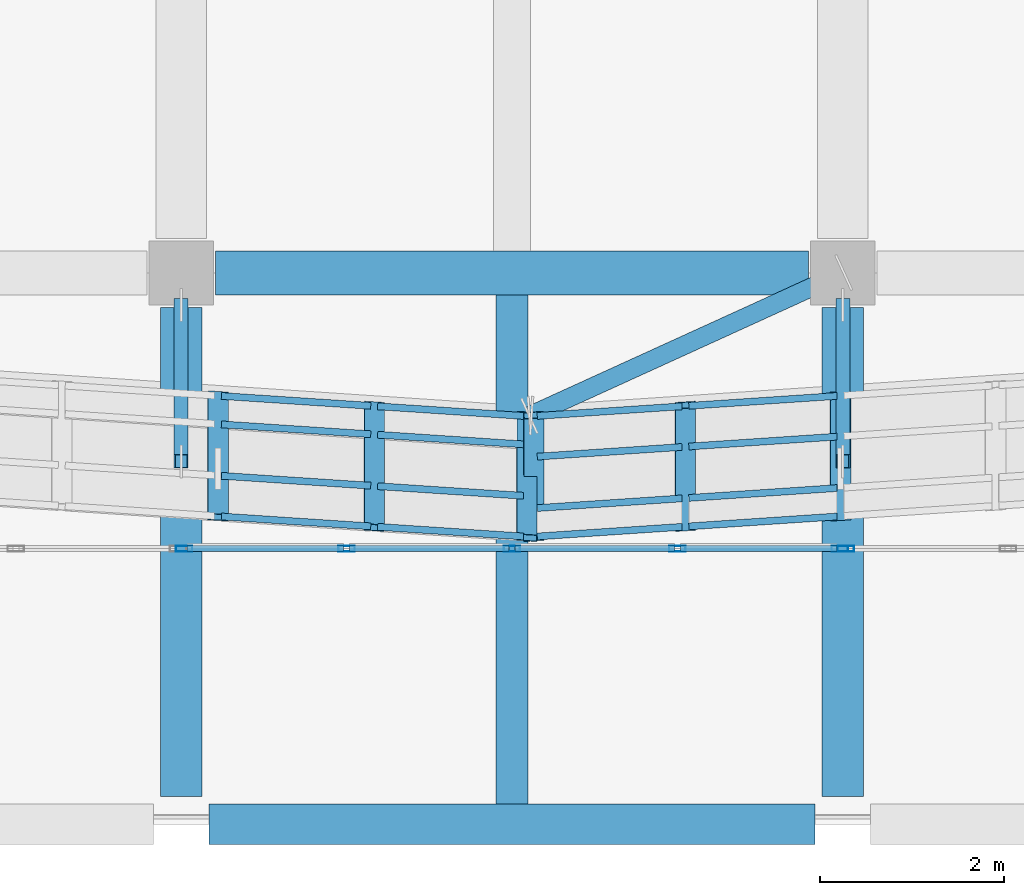
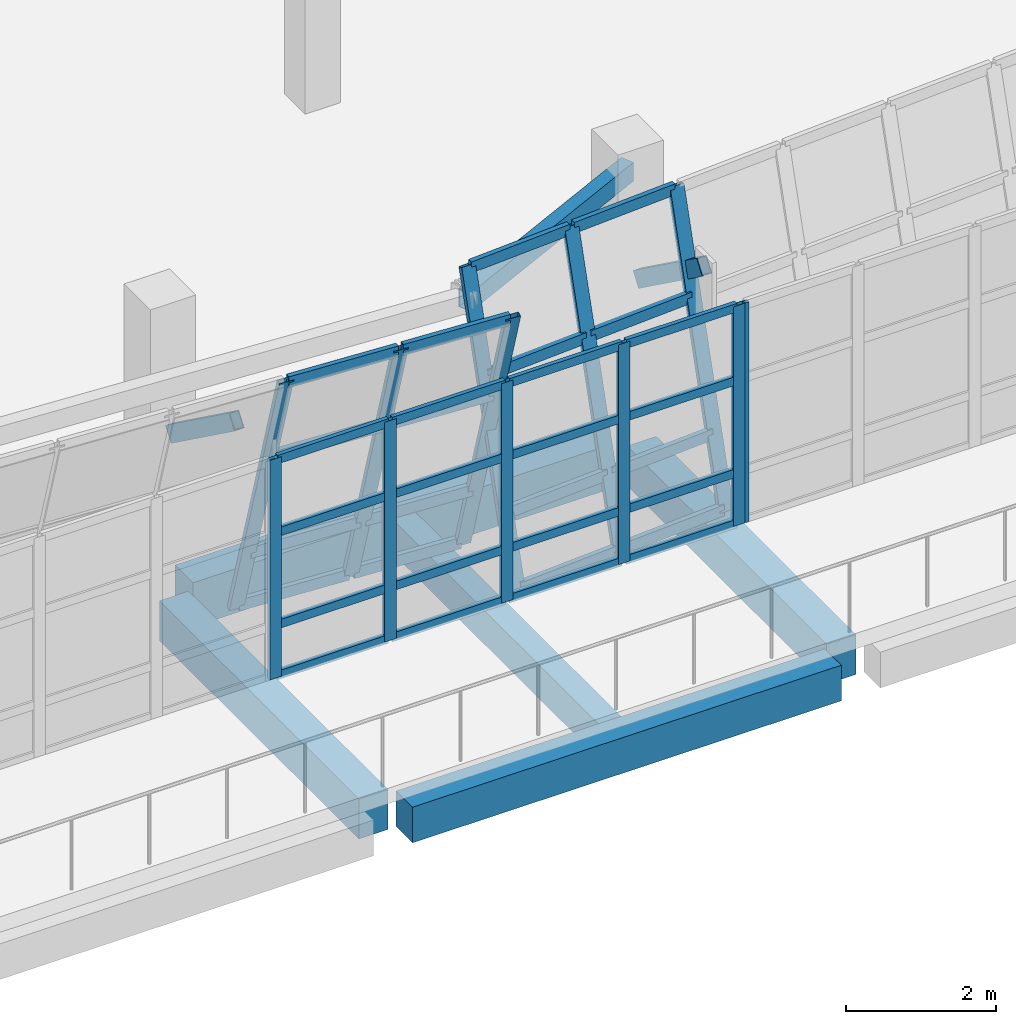
# One storey, part 10 of 67: 46 members, 6 beams, 4 elements without a shape of their own.
"""IFC4 building model written with IfcOpenShell, lengths in metres."""

from ifc_helpers import new_model, si_unit, direction, frame, origin, origin_2d, place, context, subcontext, project, spatial, rectangle, hollow_rectangle, extrude, material, material_profile, profile_set, type_object, element, aggregate, save


model = new_model("IFC4")

# Units and contexts
model_context = context("Model", 3, precision=1e-05, world=origin(), true_north=direction((0.0, 1.0)))
body_context = subcontext(model_context, "Body", "Model", "MODEL_VIEW")
ifc_project = project(units=[si_unit("LENGTHUNIT", "METRE"), si_unit("AREAUNIT", "SQUARE_METRE"), si_unit("VOLUMEUNIT", "CUBIC_METRE"), si_unit("PLANEANGLEUNIT", "RADIAN"), si_unit("MASSUNIT", "GRAM", prefix="KILO")], contexts=[model_context])

# Site, building, storey
site_placement = place(None, origin())
site = spatial("IfcSite", under=ifc_project, at=site_placement, CompositionType="ELEMENT")
building_placement = place(site_placement, origin())
building = spatial("IfcBuilding", under=site, at=building_placement, Name="Pellamere Symphony Hall", CompositionType="ELEMENT")
storey_placement = place(building_placement, frame((0.0, 0.0, 19.5)))
storey = spatial("IfcBuildingStorey", under=building, at=storey_placement, Name="L04", CompositionType="ELEMENT", Elevation=19.5)

# Curtain wall, members
ifc_material_1 = material(Name="Thermally Broken Anodised Aluminium 6063-T6 Curtain Wall", Category="aluminium")
curtain_wall_type_1 = type_object("IfcCurtainWallType", Name="Curtain Wall CW-01 (Tilted Faceted Crystal Low-Iron Curtain Wall)", PredefinedType="NOTDEFINED", material=ifc_material_1)
curtain_wall_1_placement = place(storey_placement, origin())
curtain_wall_1 = element("IfcCurtainWall", 1, at=curtain_wall_1_placement, inside=storey, type_object=curtain_wall_type_1, Name="Crystal Faceted Curtain Wall CW-CR03 (L04)", PredefinedType="NOTDEFINED")
ifc_material_2 = material(Name="Anodised Architectural Aluminium 6063-T6", Category="aluminium")
ifc_material_profile_1 = material_profile(ifc_material_2, hollow_rectangle(XDim=0.074951171875, YDim=0.219970703125, WallThickness=0.0048828125, at=origin_2d()), Name="ALU-M75X220X5")
ifc_profile_set_1 = profile_set([ifc_material_profile_1], Name="Anodised Architectural Aluminium 6063-T6")
member_type_1 = type_object("IfcMemberType", Name="Curtain Wall Mullion ML-01 ALU-M75X220X5", PredefinedType="MULLION", material=ifc_profile_set_1)
member_1_placement = place(storey_placement, frame((88.0, 28.675048828125, 0.0), z_axis=(0.0, -0.284024567884, 0.95881700279), x_axis=(0.066032040643, 0.956724387709, 0.283404685161)))
member_1 = element("IfcMember", 2, at=member_1_placement, type_object=member_type_1, Name="CW1-003 crystal mullion 7", PredefinedType="MULLION", context=body_context, shape_type="SweptSolid", body=[
    extrude(hollow_rectangle(XDim=0.074951171875, YDim=0.219970703125, WallThickness=0.0048828125, at=origin_2d()), origin(), (0.0, 0.0, 1.0), 4.693359375),
])
member_2_placement = place(storey_placement, frame((89.699951171875, 28.5625, 0.0), z_axis=(0.0, -0.284024567884, 0.95881700279), x_axis=(0.066032040643, 0.956724387709, 0.283404685161)))
member_2 = element("IfcMember", 3, at=member_2_placement, type_object=member_type_1, Name="CW1-003 crystal mullion 8", PredefinedType="MULLION", context=body_context, shape_type="SweptSolid", body=[
    extrude(hollow_rectangle(XDim=0.074951171875, YDim=0.219970703125, WallThickness=0.0048828125, at=origin_2d()), origin(), (0.0, 0.0, 1.0), 4.693359375),
])
member_3_placement = place(storey_placement, frame((91.362548828125, 28.452392578125, 0.0), z_axis=(0.0, -0.284024567884, 0.95881700279), x_axis=(0.066032040643, 0.956724387709, 0.283404685161)))
member_3 = element("IfcMember", 4, at=member_3_placement, type_object=member_type_1, Name="CW1-003 crystal mullion 9", PredefinedType="MULLION", context=body_context, shape_type="SweptSolid", body=[
    extrude(hollow_rectangle(XDim=0.074951171875, YDim=0.219970703125, WallThickness=0.0048828125, at=origin_2d()), origin(), (0.0, 0.0, 1.0), 4.693359375),
])

curtain_wall_2_placement = place(storey_placement, origin())
curtain_wall_2 = element("IfcCurtainWall", 5, at=curtain_wall_2_placement, inside=storey, type_object=curtain_wall_type_1, Name="Crystal Faceted Curtain Wall CW-CR04 (L04)", PredefinedType="NOTDEFINED")
member_4_placement = place(storey_placement, frame((91.4375, 27.119384765625, 0.0), z_axis=(0.0, 0.284024567884, 0.95881700279), x_axis=(0.066519010519, -0.956693374484, 0.283395498301)))
member_4 = element("IfcMember", 6, at=member_4_placement, type_object=member_type_1, Name="CW1-004 crystal mullion 1", PredefinedType="MULLION", context=body_context, shape_type="SweptSolid", body=[
    extrude(hollow_rectangle(XDim=0.074951171875, YDim=0.219970703125, WallThickness=0.0048828125, at=origin_2d()), origin(), (0.0, 0.0, 1.0), 4.693359375),
])
member_5_placement = place(storey_placement, frame((93.08740234375, 27.2294921875, 0.0), z_axis=(0.0, 0.284024567884, 0.95881700279), x_axis=(0.066519010519, -0.956693374484, 0.283395498301)))
member_5 = element("IfcMember", 7, at=member_5_placement, type_object=member_type_1, Name="CW1-004 crystal mullion 2", PredefinedType="MULLION", context=body_context, shape_type="SweptSolid", body=[
    extrude(hollow_rectangle(XDim=0.074951171875, YDim=0.219970703125, WallThickness=0.0048828125, at=origin_2d()), origin(), (0.0, 0.0, 1.0), 4.693359375),
])
member_6_placement = place(storey_placement, frame((94.77490234375, 27.342041015625, 0.0), z_axis=(0.0, 0.284024567884, 0.95881700279), x_axis=(0.066519010519, -0.956693374484, 0.283395498301)))
member_6 = element("IfcMember", 8, at=member_6_placement, type_object=member_type_1, Name="CW1-004 crystal mullion 3", PredefinedType="MULLION", context=body_context, shape_type="SweptSolid", body=[
    extrude(hollow_rectangle(XDim=0.074951171875, YDim=0.219970703125, WallThickness=0.0048828125, at=origin_2d()), origin(), (0.0, 0.0, 1.0), 4.693359375),
])

curtain_wall_type_2 = type_object("IfcCurtainWallType", Name="Curtain Wall CW-06 (Belvedere Terrace Clerestory Curtain Wall)", PredefinedType="NOTDEFINED", material=ifc_material_1)
curtain_wall_3_placement = place(storey_placement, origin())
curtain_wall_3 = element("IfcCurtainWall", 9, at=curtain_wall_3_placement, inside=storey, type_object=curtain_wall_type_2, Name="Winter-Garden South Curtain Wall (L04 Bay 6)", PredefinedType="NOTDEFINED")
ifc_material_profile_2 = material_profile(ifc_material_2, hollow_rectangle(XDim=0.06494140625, YDim=0.179931640625, WallThickness=0.00390625, at=origin_2d()), Name="ALU-M65X180X4")
ifc_profile_set_2 = profile_set([ifc_material_profile_2], Name="Anodised Architectural Aluminium 6063-T6")
member_type_2 = type_object("IfcMemberType", Name="Curtain Wall Mullion ML-02 ALU-M65X180X4", PredefinedType="MULLION", material=ifc_profile_set_2)
member_7_placement = place(storey_placement, frame((87.632568359375, 27.0, 0.0), z_axis=(0.0, 0.0, 1.0), x_axis=(0.0, 1.0, 0.0)))
member_7 = element("IfcMember", 10, at=member_7_placement, type_object=member_type_2, Name="CW2-099 crystal mullion 1", PredefinedType="MULLION", context=body_context, shape_type="SweptSolid", body=[
    extrude(hollow_rectangle(XDim=0.06494140625, YDim=0.179931640625, WallThickness=0.00390625, at=origin_2d()), origin(), (0.0, 0.0, 1.0), 3.577392578125),
])
member_8_placement = place(storey_placement, frame((89.39990234375, 27.0, 0.0), z_axis=(0.0, 0.0, 1.0), x_axis=(0.0, 1.0, 0.0)))
member_8 = element("IfcMember", 11, at=member_8_placement, type_object=member_type_2, Name="CW2-099 crystal mullion 2", PredefinedType="MULLION", context=body_context, shape_type="SweptSolid", body=[
    extrude(hollow_rectangle(XDim=0.06494140625, YDim=0.179931640625, WallThickness=0.00390625, at=origin_2d()), origin(), (0.0, 0.0, 1.0), 3.577392578125),
])
member_9_placement = place(storey_placement, frame((91.199951171875, 27.0, 0.0), z_axis=(0.0, 0.0, 1.0), x_axis=(0.0, 1.0, 0.0)))
member_9 = element("IfcMember", 12, at=member_9_placement, type_object=member_type_2, Name="CW2-099 crystal mullion 3", PredefinedType="MULLION", context=body_context, shape_type="SweptSolid", body=[
    extrude(hollow_rectangle(XDim=0.06494140625, YDim=0.179931640625, WallThickness=0.00390625, at=origin_2d()), origin(), (0.0, 0.0, 1.0), 3.577392578125),
])
member_10_placement = place(storey_placement, frame((93.0, 27.0, 0.0), z_axis=(0.0, 0.0, 1.0), x_axis=(0.0, 1.0, 0.0)))
member_10 = element("IfcMember", 13, at=member_10_placement, type_object=member_type_2, Name="CW2-099 crystal mullion 4", PredefinedType="MULLION", context=body_context, shape_type="SweptSolid", body=[
    extrude(hollow_rectangle(XDim=0.06494140625, YDim=0.179931640625, WallThickness=0.00390625, at=origin_2d()), origin(), (0.0, 0.0, 1.0), 3.577392578125),
])
member_11_placement = place(storey_placement, frame((94.767578125, 27.0, 0.0), z_axis=(0.0, 0.0, 1.0), x_axis=(0.0, 1.0, 0.0)))
member_11 = element("IfcMember", 14, at=member_11_placement, type_object=member_type_2, Name="CW2-099 crystal mullion 5", PredefinedType="MULLION", context=body_context, shape_type="SweptSolid", body=[
    extrude(hollow_rectangle(XDim=0.06494140625, YDim=0.179931640625, WallThickness=0.00390625, at=origin_2d()), origin(), (0.0, 0.0, 1.0), 3.577392578125),
])

# Curtain wall, member
curtain_wall_4_placement = place(storey_placement, origin())
curtain_wall_4 = element("IfcCurtainWall", 15, at=curtain_wall_4_placement, inside=storey, type_object=curtain_wall_type_2, Name="Winter-Garden South Curtain Wall (L04 Bay 7)", PredefinedType="NOTDEFINED")
member_12_placement = place(storey_placement, frame((94.83251953125, 27.0, 0.0), z_axis=(0.0, 0.0, 1.0), x_axis=(0.0, 1.0, 0.0)))
member_12 = element("IfcMember", 16, at=member_12_placement, type_object=member_type_2, Name="CW2-100 crystal mullion 1", PredefinedType="MULLION", context=body_context, shape_type="SweptSolid", body=[
    extrude(hollow_rectangle(XDim=0.06494140625, YDim=0.179931640625, WallThickness=0.00390625, at=origin_2d()), origin(), (0.0, 0.0, 1.0), 3.577392578125),
])
aggregate(curtain_wall_4, [member_12])

# Member
ifc_material_profile_3 = material_profile(ifc_material_2, hollow_rectangle(XDim=0.074951171875, YDim=0.179931640625, WallThickness=0.0048828125, at=origin_2d()), Name="ALU-T75X180X5")
ifc_profile_set_3 = profile_set([ifc_material_profile_3], Name="Anodised Architectural Aluminium 6063-T6")
member_type_3 = type_object("IfcMemberType", Name="Curtain Wall Transom TR-01 ALU-T75X180X5", PredefinedType="USERDEFINED", material=ifc_profile_set_3)
member_13_placement = place(storey_placement, frame((88.037353515625, 28.661865234375, 0.035888671875), z_axis=(0.997822801026, -0.065951935174, 0.0), x_axis=(0.065951935174, 0.997822801026, 0.0)))
member_13 = element("IfcMember", 17, at=member_13_placement, type_object=member_type_3, Name="CW1-003 crystal transom 7.1", ObjectType="TRANSOM", PredefinedType="USERDEFINED", context=body_context, shape_type="SweptSolid", body=[
    extrude(hollow_rectangle(XDim=0.074951171875, YDim=0.179931640625, WallThickness=0.0048828125, at=origin_2d()), origin(), (0.0, 0.0, 1.0), 1.62890625),
])

member_14_placement = place(storey_placement, frame((88.037353515625, 28.3525390625, 1.080078125), z_axis=(0.997822801026, -0.065951935174, 0.0), x_axis=(0.065951935174, 0.997822801026, 0.0)))
member_14 = element("IfcMember", 18, at=member_14_placement, type_object=member_type_3, Name="CW1-003 crystal transom 7.2", ObjectType="TRANSOM", PredefinedType="USERDEFINED", context=body_context, shape_type="SweptSolid", body=[
    extrude(hollow_rectangle(XDim=0.074951171875, YDim=0.179931640625, WallThickness=0.0048828125, at=origin_2d()), origin(), (0.0, 0.0, 1.0), 1.62890625),
])

member_15_placement = place(storey_placement, frame((88.037353515625, 27.792724609375, 2.969970703125), z_axis=(0.997822801026, -0.065951935174, 0.0), x_axis=(0.065951935174, 0.997822801026, 0.0)))
member_15 = element("IfcMember", 19, at=member_15_placement, type_object=member_type_3, Name="CW1-003 crystal transom 7.3", ObjectType="TRANSOM", PredefinedType="USERDEFINED", context=body_context, shape_type="SweptSolid", body=[
    extrude(hollow_rectangle(XDim=0.074951171875, YDim=0.179931640625, WallThickness=0.0048828125, at=origin_2d()), origin(), (0.0, 0.0, 1.0), 1.62890625),
])

member_16_placement = place(storey_placement, frame((88.037353515625, 27.35009765625, 4.464111328125), z_axis=(0.997822801026, -0.065951935174, 0.0), x_axis=(0.065951935174, 0.997822801026, 0.0)))
member_16 = element("IfcMember", 20, at=member_16_placement, type_object=member_type_3, Name="CW1-003 crystal transom 7.4", ObjectType="TRANSOM", PredefinedType="USERDEFINED", context=body_context, shape_type="SweptSolid", body=[
    extrude(hollow_rectangle(XDim=0.074951171875, YDim=0.179931640625, WallThickness=0.0048828125, at=origin_2d()), origin(), (0.0, 0.0, 1.0), 1.62890625),
])

member_17_placement = place(storey_placement, frame((89.7373046875, 28.54931640625, 0.035888671875), z_axis=(0.997821663418, -0.065969144414, 0.0), x_axis=(0.065969144414, 0.997821663418, 0.0)))
member_17 = element("IfcMember", 21, at=member_17_placement, type_object=member_type_3, Name="CW1-003 crystal transom 8.1", ObjectType="TRANSOM", PredefinedType="USERDEFINED", context=body_context, shape_type="SweptSolid", body=[
    extrude(hollow_rectangle(XDim=0.074951171875, YDim=0.179931640625, WallThickness=0.0048828125, at=origin_2d()), origin(), (0.0, 0.0, 1.0), 1.59130859375),
])

member_18_placement = place(storey_placement, frame((89.7373046875, 28.239990234375, 1.080078125), z_axis=(0.997821663418, -0.065969144414, 0.0), x_axis=(0.065969144414, 0.997821663418, 0.0)))
member_18 = element("IfcMember", 22, at=member_18_placement, type_object=member_type_3, Name="CW1-003 crystal transom 8.2", ObjectType="TRANSOM", PredefinedType="USERDEFINED", context=body_context, shape_type="SweptSolid", body=[
    extrude(hollow_rectangle(XDim=0.074951171875, YDim=0.179931640625, WallThickness=0.0048828125, at=origin_2d()), origin(), (0.0, 0.0, 1.0), 1.59130859375),
])

member_19_placement = place(storey_placement, frame((89.7373046875, 27.68017578125, 2.969970703125), z_axis=(0.997821663418, -0.065969144414, 0.0), x_axis=(0.065969144414, 0.997821663418, 0.0)))
member_19 = element("IfcMember", 23, at=member_19_placement, type_object=member_type_3, Name="CW1-003 crystal transom 8.3", ObjectType="TRANSOM", PredefinedType="USERDEFINED", context=body_context, shape_type="SweptSolid", body=[
    extrude(hollow_rectangle(XDim=0.074951171875, YDim=0.179931640625, WallThickness=0.0048828125, at=origin_2d()), origin(), (0.0, 0.0, 1.0), 1.59130859375),
])

member_20_placement = place(storey_placement, frame((89.7373046875, 27.23779296875, 4.464111328125), z_axis=(0.997811553112, -0.06612189105, 0.0), x_axis=(0.06612189105, 0.997811553112, 0.0)))
member_20 = element("IfcMember", 24, at=member_20_placement, type_object=member_type_3, Name="CW1-003 crystal transom 8.4", ObjectType="TRANSOM", PredefinedType="USERDEFINED", context=body_context, shape_type="SweptSolid", body=[
    extrude(hollow_rectangle(XDim=0.074951171875, YDim=0.179931640625, WallThickness=0.0048828125, at=origin_2d()), origin(), (0.0, 0.0, 1.0), 1.59130859375),
])

aggregate(curtain_wall_1, [member_1, member_2, member_3, member_13, member_14, member_15, member_16, member_17, member_18, member_19, member_20])

member_21_placement = place(storey_placement, frame((91.474853515625, 27.132568359375, 0.035888671875), z_axis=(0.997786526209, 0.066498482063, 0.0), x_axis=(-0.066498482063, 0.997786526209, 0.0)))
member_21 = element("IfcMember", 25, at=member_21_placement, type_object=member_type_3, Name="CW1-004 crystal transom 1.1", ObjectType="TRANSOM", PredefinedType="USERDEFINED", context=body_context, shape_type="SweptSolid", body=[
    extrude(hollow_rectangle(XDim=0.074951171875, YDim=0.179931640625, WallThickness=0.0048828125, at=origin_2d()), origin(), (0.0, 0.0, 1.0), 1.57861328125),
])

member_22_placement = place(storey_placement, frame((91.474853515625, 27.44189453125, 1.080078125), z_axis=(0.997786526209, 0.066498482063, 0.0), x_axis=(-0.066498482063, 0.997786526209, 0.0)))
member_22 = element("IfcMember", 26, at=member_22_placement, type_object=member_type_3, Name="CW1-004 crystal transom 1.2", ObjectType="TRANSOM", PredefinedType="USERDEFINED", context=body_context, shape_type="SweptSolid", body=[
    extrude(hollow_rectangle(XDim=0.074951171875, YDim=0.179931640625, WallThickness=0.0048828125, at=origin_2d()), origin(), (0.0, 0.0, 1.0), 1.57861328125),
])

member_23_placement = place(storey_placement, frame((91.474853515625, 28.001708984375, 2.969970703125), z_axis=(0.997786526209, 0.066498482063, 0.0), x_axis=(-0.066498482063, 0.997786526209, 0.0)))
member_23 = element("IfcMember", 27, at=member_23_placement, type_object=member_type_3, Name="CW1-004 crystal transom 1.3", ObjectType="TRANSOM", PredefinedType="USERDEFINED", context=body_context, shape_type="SweptSolid", body=[
    extrude(hollow_rectangle(XDim=0.074951171875, YDim=0.179931640625, WallThickness=0.0048828125, at=origin_2d()), origin(), (0.0, 0.0, 1.0), 1.57861328125),
])

member_24_placement = place(storey_placement, frame((91.474853515625, 28.4443359375, 4.464111328125), z_axis=(0.997786526209, 0.066498482063, 0.0), x_axis=(-0.066498482063, 0.997786526209, 0.0)))
member_24 = element("IfcMember", 28, at=member_24_placement, type_object=member_type_3, Name="CW1-004 crystal transom 1.4", ObjectType="TRANSOM", PredefinedType="USERDEFINED", context=body_context, shape_type="SweptSolid", body=[
    extrude(hollow_rectangle(XDim=0.074951171875, YDim=0.179931640625, WallThickness=0.0048828125, at=origin_2d()), origin(), (0.0, 0.0, 1.0), 1.57861328125),
])

member_25_placement = place(storey_placement, frame((93.125, 27.24267578125, 0.035888671875), z_axis=(0.997788498757, 0.06646887804, 0.0), x_axis=(-0.06646887804, 0.997788498757, 0.0)))
member_25 = element("IfcMember", 29, at=member_25_placement, type_object=member_type_3, Name="CW1-004 crystal transom 2.1", ObjectType="TRANSOM", PredefinedType="USERDEFINED", context=body_context, shape_type="SweptSolid", body=[
    extrude(hollow_rectangle(XDim=0.074951171875, YDim=0.179931640625, WallThickness=0.0048828125, at=origin_2d()), origin(), (0.0, 0.0, 1.0), 1.6162109375),
])

member_26_placement = place(storey_placement, frame((93.125, 27.552001953125, 1.080078125), z_axis=(0.997788498757, 0.06646887804, 0.0), x_axis=(-0.06646887804, 0.997788498757, 0.0)))
member_26 = element("IfcMember", 30, at=member_26_placement, type_object=member_type_3, Name="CW1-004 crystal transom 2.2", ObjectType="TRANSOM", PredefinedType="USERDEFINED", context=body_context, shape_type="SweptSolid", body=[
    extrude(hollow_rectangle(XDim=0.074951171875, YDim=0.179931640625, WallThickness=0.0048828125, at=origin_2d()), origin(), (0.0, 0.0, 1.0), 1.6162109375),
])

member_27_placement = place(storey_placement, frame((93.125, 28.11181640625, 2.969970703125), z_axis=(0.997788498757, 0.06646887804, 0.0), x_axis=(-0.06646887804, 0.997788498757, 0.0)))
member_27 = element("IfcMember", 31, at=member_27_placement, type_object=member_type_3, Name="CW1-004 crystal transom 2.3", ObjectType="TRANSOM", PredefinedType="USERDEFINED", context=body_context, shape_type="SweptSolid", body=[
    extrude(hollow_rectangle(XDim=0.074951171875, YDim=0.179931640625, WallThickness=0.0048828125, at=origin_2d()), origin(), (0.0, 0.0, 1.0), 1.6162109375),
])

member_28_placement = place(storey_placement, frame((93.125, 28.554443359375, 4.464111328125), z_axis=(0.997788498757, 0.06646887804, 0.0), x_axis=(-0.06646887804, 0.997788498757, 0.0)))
member_28 = element("IfcMember", 32, at=member_28_placement, type_object=member_type_3, Name="CW1-004 crystal transom 2.4", ObjectType="TRANSOM", PredefinedType="USERDEFINED", context=body_context, shape_type="SweptSolid", body=[
    extrude(hollow_rectangle(XDim=0.074951171875, YDim=0.179931640625, WallThickness=0.0048828125, at=origin_2d()), origin(), (0.0, 0.0, 1.0), 1.6162109375),
])

aggregate(curtain_wall_2, [member_4, member_5, member_6, member_21, member_22, member_23, member_24, member_25, member_26, member_27, member_28])

ifc_material_profile_4 = material_profile(ifc_material_2, hollow_rectangle(XDim=0.06494140625, YDim=0.139892578125, WallThickness=0.00390625, at=origin_2d()), Name="ALU-T65X140X4")
ifc_profile_set_4 = profile_set([ifc_material_profile_4], Name="Anodised Architectural Aluminium 6063-T6")
member_type_4 = type_object("IfcMemberType", Name="Curtain Wall Transom TR-02 ALU-T65X140X4", PredefinedType="USERDEFINED", material=ifc_profile_set_4)
member_29_placement = place(storey_placement, frame((87.6650390625, 27.0, 0.032470703125), z_axis=(1.0, 0.0, 0.0), x_axis=(0.0, 1.0, 0.0)))
member_29 = element("IfcMember", 33, at=member_29_placement, type_object=member_type_4, Name="CW2-099 crystal transom 1.1", ObjectType="TRANSOM", PredefinedType="USERDEFINED", context=body_context, shape_type="SweptSolid", body=[
    extrude(hollow_rectangle(XDim=0.06494140625, YDim=0.139892578125, WallThickness=0.00390625, at=origin_2d()), origin(), (0.0, 0.0, 1.0), 1.702392578125),
])

member_30_placement = place(storey_placement, frame((87.6650390625, 27.0, 0.858642578125), z_axis=(1.0, 0.0, 0.0), x_axis=(0.0, 1.0, 0.0)))
member_30 = element("IfcMember", 34, at=member_30_placement, type_object=member_type_4, Name="CW2-099 crystal transom 1.2", ObjectType="TRANSOM", PredefinedType="USERDEFINED", context=body_context, shape_type="SweptSolid", body=[
    extrude(hollow_rectangle(XDim=0.06494140625, YDim=0.139892578125, WallThickness=0.00390625, at=origin_2d()), origin(), (0.0, 0.0, 1.0), 1.702392578125),
])

member_31_placement = place(storey_placement, frame((87.6650390625, 27.0, 2.361083984375), z_axis=(1.0, 0.0, 0.0), x_axis=(0.0, 1.0, 0.0)))
member_31 = element("IfcMember", 35, at=member_31_placement, type_object=member_type_4, Name="CW2-099 crystal transom 1.3", ObjectType="TRANSOM", PredefinedType="USERDEFINED", context=body_context, shape_type="SweptSolid", body=[
    extrude(hollow_rectangle(XDim=0.06494140625, YDim=0.139892578125, WallThickness=0.00390625, at=origin_2d()), origin(), (0.0, 0.0, 1.0), 1.702392578125),
])

member_32_placement = place(storey_placement, frame((87.6650390625, 27.0, 3.544921875), z_axis=(1.0, 0.0, 0.0), x_axis=(0.0, 1.0, 0.0)))
member_32 = element("IfcMember", 36, at=member_32_placement, type_object=member_type_4, Name="CW2-099 crystal transom 1.4", ObjectType="TRANSOM", PredefinedType="USERDEFINED", context=body_context, shape_type="SweptSolid", body=[
    extrude(hollow_rectangle(XDim=0.06494140625, YDim=0.139892578125, WallThickness=0.00390625, at=origin_2d()), origin(), (0.0, 0.0, 1.0), 1.702392578125),
])

member_33_placement = place(storey_placement, frame((89.4326171875, 27.0, 0.032470703125), z_axis=(1.0, 0.0, 0.0), x_axis=(0.0, 1.0, 0.0)))
member_33 = element("IfcMember", 37, at=member_33_placement, type_object=member_type_4, Name="CW2-099 crystal transom 2.1", ObjectType="TRANSOM", PredefinedType="USERDEFINED", context=body_context, shape_type="SweptSolid", body=[
    extrude(hollow_rectangle(XDim=0.06494140625, YDim=0.139892578125, WallThickness=0.00390625, at=origin_2d()), origin(), (0.0, 0.0, 1.0), 1.73486328125),
])

member_34_placement = place(storey_placement, frame((89.4326171875, 27.0, 0.858642578125), z_axis=(1.0, 0.0, 0.0), x_axis=(0.0, 1.0, 0.0)))
member_34 = element("IfcMember", 38, at=member_34_placement, type_object=member_type_4, Name="CW2-099 crystal transom 2.2", ObjectType="TRANSOM", PredefinedType="USERDEFINED", context=body_context, shape_type="SweptSolid", body=[
    extrude(hollow_rectangle(XDim=0.06494140625, YDim=0.139892578125, WallThickness=0.00390625, at=origin_2d()), origin(), (0.0, 0.0, 1.0), 1.73486328125),
])

member_35_placement = place(storey_placement, frame((89.4326171875, 27.0, 2.361083984375), z_axis=(1.0, 0.0, 0.0), x_axis=(0.0, 1.0, 0.0)))
member_35 = element("IfcMember", 39, at=member_35_placement, type_object=member_type_4, Name="CW2-099 crystal transom 2.3", ObjectType="TRANSOM", PredefinedType="USERDEFINED", context=body_context, shape_type="SweptSolid", body=[
    extrude(hollow_rectangle(XDim=0.06494140625, YDim=0.139892578125, WallThickness=0.00390625, at=origin_2d()), origin(), (0.0, 0.0, 1.0), 1.73486328125),
])

member_36_placement = place(storey_placement, frame((89.4326171875, 27.0, 3.544921875), z_axis=(1.0, 0.0, 0.0), x_axis=(0.0, 1.0, 0.0)))
member_36 = element("IfcMember", 40, at=member_36_placement, type_object=member_type_4, Name="CW2-099 crystal transom 2.4", ObjectType="TRANSOM", PredefinedType="USERDEFINED", context=body_context, shape_type="SweptSolid", body=[
    extrude(hollow_rectangle(XDim=0.06494140625, YDim=0.139892578125, WallThickness=0.00390625, at=origin_2d()), origin(), (0.0, 0.0, 1.0), 1.73486328125),
])

member_37_placement = place(storey_placement, frame((91.232421875, 27.0, 0.032470703125), z_axis=(1.0, 0.0, 0.0), x_axis=(0.0, 1.0, 0.0)))
member_37 = element("IfcMember", 41, at=member_37_placement, type_object=member_type_4, Name="CW2-099 crystal transom 3.1", ObjectType="TRANSOM", PredefinedType="USERDEFINED", context=body_context, shape_type="SweptSolid", body=[
    extrude(hollow_rectangle(XDim=0.06494140625, YDim=0.139892578125, WallThickness=0.00390625, at=origin_2d()), origin(), (0.0, 0.0, 1.0), 1.735107421875),
])

member_38_placement = place(storey_placement, frame((91.232421875, 27.0, 0.858642578125), z_axis=(1.0, 0.0, 0.0), x_axis=(0.0, 1.0, 0.0)))
member_38 = element("IfcMember", 42, at=member_38_placement, type_object=member_type_4, Name="CW2-099 crystal transom 3.2", ObjectType="TRANSOM", PredefinedType="USERDEFINED", context=body_context, shape_type="SweptSolid", body=[
    extrude(hollow_rectangle(XDim=0.06494140625, YDim=0.139892578125, WallThickness=0.00390625, at=origin_2d()), origin(), (0.0, 0.0, 1.0), 1.735107421875),
])

member_39_placement = place(storey_placement, frame((91.232421875, 27.0, 2.361083984375), z_axis=(1.0, 0.0, 0.0), x_axis=(0.0, 1.0, 0.0)))
member_39 = element("IfcMember", 43, at=member_39_placement, type_object=member_type_4, Name="CW2-099 crystal transom 3.3", ObjectType="TRANSOM", PredefinedType="USERDEFINED", context=body_context, shape_type="SweptSolid", body=[
    extrude(hollow_rectangle(XDim=0.06494140625, YDim=0.139892578125, WallThickness=0.00390625, at=origin_2d()), origin(), (0.0, 0.0, 1.0), 1.735107421875),
])

member_40_placement = place(storey_placement, frame((91.232421875, 27.0, 3.544921875), z_axis=(1.0, 0.0, 0.0), x_axis=(0.0, 1.0, 0.0)))
member_40 = element("IfcMember", 44, at=member_40_placement, type_object=member_type_4, Name="CW2-099 crystal transom 3.4", ObjectType="TRANSOM", PredefinedType="USERDEFINED", context=body_context, shape_type="SweptSolid", body=[
    extrude(hollow_rectangle(XDim=0.06494140625, YDim=0.139892578125, WallThickness=0.00390625, at=origin_2d()), origin(), (0.0, 0.0, 1.0), 1.735107421875),
])

member_41_placement = place(storey_placement, frame((93.032470703125, 27.0, 0.032470703125), z_axis=(1.0, 0.0, 0.0), x_axis=(0.0, 1.0, 0.0)))
member_41 = element("IfcMember", 45, at=member_41_placement, type_object=member_type_4, Name="CW2-099 crystal transom 4.1", ObjectType="TRANSOM", PredefinedType="USERDEFINED", context=body_context, shape_type="SweptSolid", body=[
    extrude(hollow_rectangle(XDim=0.06494140625, YDim=0.139892578125, WallThickness=0.00390625, at=origin_2d()), origin(), (0.0, 0.0, 1.0), 1.70263671875),
])

member_42_placement = place(storey_placement, frame((93.032470703125, 27.0, 0.858642578125), z_axis=(1.0, 0.0, 0.0), x_axis=(0.0, 1.0, 0.0)))
member_42 = element("IfcMember", 46, at=member_42_placement, type_object=member_type_4, Name="CW2-099 crystal transom 4.2", ObjectType="TRANSOM", PredefinedType="USERDEFINED", context=body_context, shape_type="SweptSolid", body=[
    extrude(hollow_rectangle(XDim=0.06494140625, YDim=0.139892578125, WallThickness=0.00390625, at=origin_2d()), origin(), (0.0, 0.0, 1.0), 1.70263671875),
])

member_43_placement = place(storey_placement, frame((93.032470703125, 27.0, 2.361083984375), z_axis=(1.0, 0.0, 0.0), x_axis=(0.0, 1.0, 0.0)))
member_43 = element("IfcMember", 47, at=member_43_placement, type_object=member_type_4, Name="CW2-099 crystal transom 4.3", ObjectType="TRANSOM", PredefinedType="USERDEFINED", context=body_context, shape_type="SweptSolid", body=[
    extrude(hollow_rectangle(XDim=0.06494140625, YDim=0.139892578125, WallThickness=0.00390625, at=origin_2d()), origin(), (0.0, 0.0, 1.0), 1.70263671875),
])

member_44_placement = place(storey_placement, frame((93.032470703125, 27.0, 3.544921875), z_axis=(1.0, 0.0, 0.0), x_axis=(0.0, 1.0, 0.0)))
member_44 = element("IfcMember", 48, at=member_44_placement, type_object=member_type_4, Name="CW2-099 crystal transom 4.4", ObjectType="TRANSOM", PredefinedType="USERDEFINED", context=body_context, shape_type="SweptSolid", body=[
    extrude(hollow_rectangle(XDim=0.06494140625, YDim=0.139892578125, WallThickness=0.00390625, at=origin_2d()), origin(), (0.0, 0.0, 1.0), 1.70263671875),
])

aggregate(curtain_wall_3, [member_7, member_8, member_9, member_10, member_11, member_29, member_30, member_31, member_32, member_33, member_34, member_35, member_36, member_37, member_38, member_39, member_40, member_41, member_42, member_43, member_44])

# Beams
ifc_material_3 = material(Name="Concrete 40 MPa", Category="concrete")
ifc_material_profile_5 = material_profile(ifc_material_3, rectangle(XDim=0.449951171875, YDim=0.64990234375, at=origin_2d()), Name="RC 450x650")
ifc_profile_set_5 = profile_set([ifc_material_profile_5], Name="Concrete 40 MPa")
beam_type_1 = type_object("IfcBeamType", Name="RC CB-08 450x650", PredefinedType="BEAM", material=ifc_profile_set_5)
for number, where, z_axis, x_axis, name in (
    (49, (87.60009765625, 24.300048828125, -0.5849609375), (0.0, 1.0, 0.0), (-1.0, 0.0, 0.0), "Girder CB-08-Y1895 (L04)"),
    (50, (94.800048828125, 24.300048828125, -0.5849609375), (0.0, 1.0, 0.0), (-1.0, 0.0, 0.0), "Girder CB-08-Y1898 (L04)"),
):
    element("IfcBeam", number, at=place(storey_placement, frame(where, z_axis=z_axis, x_axis=x_axis)), inside=storey, type_object=beam_type_1, Name=name, PredefinedType="BEAM", context=body_context, shape_type="SweptSolid", body=[
        extrude(rectangle(XDim=0.449951171875, YDim=0.64990234375, at=origin_2d()), origin(), (0.0, 0.0, 1.0), 5.324951171875),
    ])
ifc_material_4 = material(Name="Concrete 35 MPa", Category="concrete")
ifc_material_profile_6 = material_profile(ifc_material_4, rectangle(XDim=0.35009765625, YDim=0.550048828125, at=origin_2d()), Name="RC 350x550")
ifc_profile_set_6 = profile_set([ifc_material_profile_6], Name="Concrete 35 MPa")
beam_type_2 = type_object("IfcBeamType", Name="RC CB-10 350x550", PredefinedType="BEAM", material=ifc_profile_set_6)
beam_1_placement = place(storey_placement, frame((91.199951171875, 24.219970703125, -0.550048828125), z_axis=(0.0, 1.0, 0.0), x_axis=(-1.0, 0.0, 0.0)))
element("IfcBeam", 51, at=beam_1_placement, inside=storey, type_object=beam_type_2, Name="Secondary Floor Beam CB-10-M1103 (L04)", PredefinedType="BEAM", context=body_context, shape_type="SweptSolid", body=[
    extrude(rectangle(XDim=0.35009765625, YDim=0.550048828125, at=origin_2d()), origin(), (0.0, 0.0, 1.0), 5.5400390625),
])
ifc_material_profile_7 = material_profile(ifc_material_3, rectangle(XDim=0.47998046875, YDim=0.719970703125, at=origin_2d()), Name="RC 480x720")
ifc_profile_set_7 = profile_set([ifc_material_profile_7], Name="Concrete 40 MPa")
beam_type_3 = type_object("IfcBeamType", Name="RC CB-14 480x720", PredefinedType="SPANDREL", material=ifc_profile_set_7)
beam_2_placement = place(storey_placement, frame((87.97509765625, 30.0, -0.6201171875), z_axis=(1.0, 0.0, 0.0), x_axis=(0.0, 1.0, 0.0)))
element("IfcBeam", 52, at=beam_2_placement, inside=storey, type_object=beam_type_3, Name="Girder CB-14-X1808 (L04)", PredefinedType="SPANDREL", context=body_context, shape_type="SweptSolid", body=[
    extrude(rectangle(XDim=0.47998046875, YDim=0.719970703125, at=origin_2d()), origin(), (0.0, 0.0, 1.0), 6.449951171875),
])
ifc_material_profile_8 = material_profile(ifc_material_3, rectangle(XDim=0.43994140625, YDim=0.580078125, at=origin_2d()), Name="RC 440x580")
ifc_profile_set_8 = profile_set([ifc_material_profile_8], Name="Concrete 40 MPa")
beam_type_4 = type_object("IfcBeamType", Name="RC CB-20 440x580", PredefinedType="BEAM", material=ifc_profile_set_8)
beam_3_placement = place(storey_placement, frame((87.89990234375, 24.0, -0.550048828125), z_axis=(1.0, 0.0, 0.0), x_axis=(0.0, 1.0, 0.0)))
element("IfcBeam", 53, at=beam_3_placement, inside=storey, type_object=beam_type_4, Name="Girder CB-20-X1798 (L04)", PredefinedType="BEAM", context=body_context, shape_type="SweptSolid", body=[
    extrude(rectangle(XDim=0.43994140625, YDim=0.580078125, at=origin_2d()), origin(), (0.0, 0.0, 1.0), 6.60009765625),
])

# Members
ifc_material_5 = material(Name="Steel CSA G40.21 350W", Category="steel")
ifc_material_profile_9 = material_profile(ifc_material_5, hollow_rectangle(XDim=0.15234375, YDim=0.25390625, WallThickness=0.010986328125, at=origin_2d()), Name="HSS254X152X11")
ifc_profile_set_9 = profile_set([ifc_material_profile_9], Name="Steel CSA G40.21 350W")
member_type_5 = type_object("IfcMemberType", Name="Steel Member SM-07 HSS254X152X11", PredefinedType="STRUT", material=ifc_profile_set_9)
for number, where, z_axis, x_axis, name in (
    (54, (87.60009765625, 29.64990234375, 2.3798828125), (0.0, -0.810117421181, 0.586267655512), (1.0, 0.0, 0.0), "Winter-Garden Canopy Knee Strut 05"),
    (55, (94.800048828125, 29.64990234375, 2.3798828125), (0.0, -0.810117421181, 0.586267655512), (1.0, 0.0, 0.0), "Winter-Garden Canopy Knee Strut 06"),
):
    element("IfcMember", number, at=place(storey_placement, frame(where, z_axis=z_axis, x_axis=x_axis)), inside=storey, type_object=member_type_5, Name=name, PredefinedType="STRUT", context=body_context, shape_type="SweptSolid", body=[
        extrude(hollow_rectangle(XDim=0.15234375, YDim=0.25390625, WallThickness=0.010986328125, at=origin_2d()), origin(), (0.0, 0.0, 1.0), 2.098388671875),
    ])

# Beam
ifc_material_profile_10 = material_profile(ifc_material_5, hollow_rectangle(XDim=0.203125, YDim=0.3046875, WallThickness=0.0126953125, at=origin_2d()), Name="HSS305X203X13")
ifc_profile_set_10 = profile_set([ifc_material_profile_10], Name="Steel CSA G40.21 350W")
beam_type_5 = type_object("IfcBeamType", Name="Steel Spandrel SB-26 HSS305X203X13", PredefinedType="SPANDREL", material=ifc_profile_set_10)
beam_4_placement = place(storey_placement, frame((94.800048828125, 30.0, 3.93994140625), z_axis=(-0.909909479185, -0.414806870349, 0.0), x_axis=(0.414806870349, -0.909909479185, 0.0)))
element("IfcBeam", 56, at=beam_4_placement, inside=storey, type_object=beam_type_5, Name="Crystal Ring Outrigger Bracket 007 (L04)", PredefinedType="SPANDREL", context=body_context, shape_type="SweptSolid", body=[
    extrude(hollow_rectangle(XDim=0.203125, YDim=0.3046875, WallThickness=0.0126953125, at=origin_2d()), origin(), (0.0, 0.0, 1.0), 3.73681640625),
])

save(model, "model.ifc")
